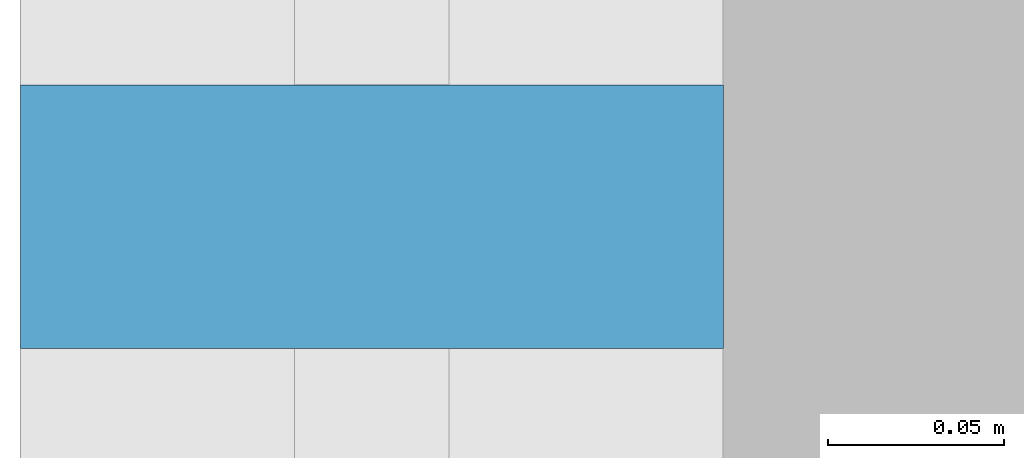
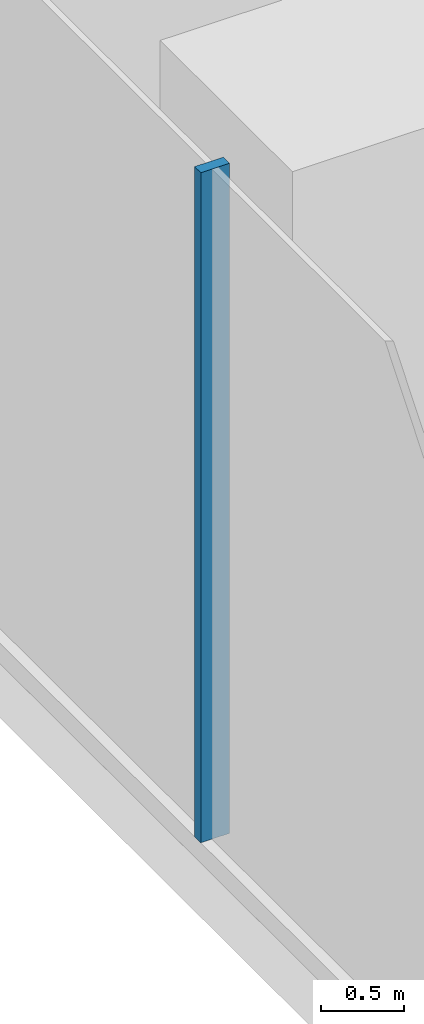
# One storey, part 5 of 30: 1 member, 1 element without a shape of its own.
"""IFC4 building model written with IfcOpenShell, lengths in metres."""

from ifc_helpers import new_model, si_unit, direction, frame, origin, origin_2d, place, context, subcontext, project, spatial, rectangle, extrude, source, transform, mapped, material, material_profile, profile_set, type_object, element, aggregate, save


model = new_model("IFC4")

# Units and contexts
model_context = context("Model", 3, precision=1e-05, world=origin(), true_north=direction((0.0, 1.0)))
body_context = subcontext(model_context, "Body", "Model", "MODEL_VIEW")
ifc_project = project(units=[si_unit("LENGTHUNIT", "METRE"), si_unit("AREAUNIT", "SQUARE_METRE"), si_unit("VOLUMEUNIT", "CUBIC_METRE"), si_unit("PLANEANGLEUNIT", "RADIAN"), si_unit("MASSUNIT", "GRAM", prefix="KILO")], contexts=[model_context])

# Site, building, storey
site_placement = place(None, origin())
site = spatial("IfcSite", under=ifc_project, at=site_placement, CompositionType="ELEMENT")
building_placement = place(site_placement, origin())
building = spatial("IfcBuilding", under=site, at=building_placement, Name="Kemantara Hotel Tower", CompositionType="ELEMENT")
storey_placement = place(building_placement, frame((0.0, 0.0, 23.5)))
storey = spatial("IfcBuildingStorey", under=building, at=storey_placement, Name="L04", CompositionType="ELEMENT", Elevation=23.5)

# Curtain wall, member
ifc_material_1 = material(Name="Laminated tinted insulated glass 44 mm", Category="glass")
curtain_wall_type = type_object("IfcCurtainWallType", Name="PODIUM GLASS CURTAIN WALL", PredefinedType="USERDEFINED", material=ifc_material_1)
curtain_wall_placement = place(storey_placement, origin())
curtain_wall = element("IfcCurtainWall", 1, at=curtain_wall_placement, inside=storey, type_object=curtain_wall_type, Name="CW1 L04 POD-R16-1", ObjectType="PODIUM GLASS CURTAIN WALL", PredefinedType="USERDEFINED")
ifc_material_2 = material(Name="Aluminium 6063-T6 bronze anodised", Category="aluminium")
ifc_material_profile = material_profile(ifc_material_2, rectangle(XDim=0.199951171875, YDim=0.074951171875, at=origin_2d()), Name="PODIUM GLASS CURTAIN WALL MULLION")
ifc_profile_set = profile_set([ifc_material_profile], Name="Aluminium 6063-T6 bronze anodised")
member_type = type_object("IfcMemberType", Name="PODIUM GLASS CURTAIN WALL MULLION", PredefinedType="MULLION", material=ifc_profile_set)
shared_shape = source(origin(), body_context, "Body", "SweptSolid", [
    extrude(rectangle(XDim=0.199951171875, YDim=0.074951171875, at=origin_2d()), origin(), (0.0, 0.0, 1.0), 4.9501953125),
])
member_placement = place(storey_placement, frame((0.10009765625, 36.199951171875, 0.14990234375), z_axis=(0.0, 0.0, 1.0), x_axis=(1.0, 0.0, 0.0)))
member = element("IfcMember", 2, at=member_placement, type_object=member_type, Name="CW1 mullion POD-R16-1.6", PredefinedType="MULLION", context=body_context, shape_type="MappedRepresentation", body=[
    mapped(shared_shape, transform((0.0, 0.0, 0.0))),
])
aggregate(curtain_wall, [member])

save(model, "model.ifc")
